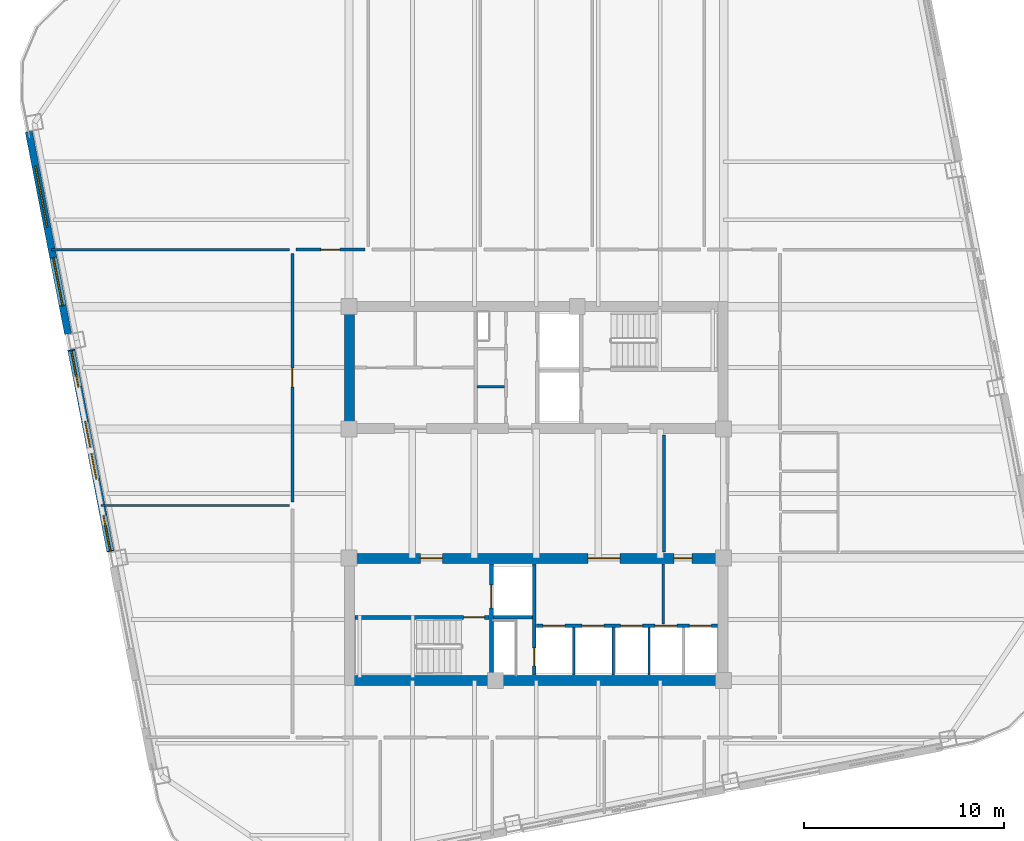
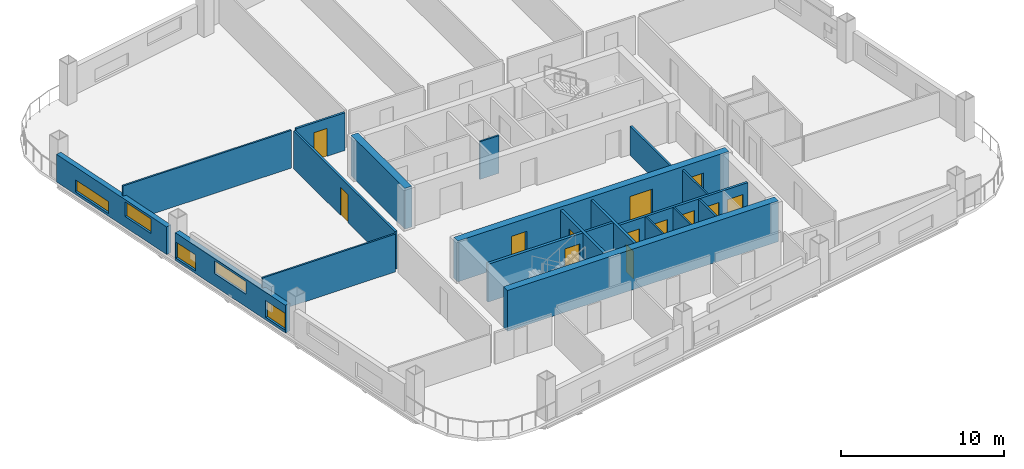
# One storey, part 3 of 9: 20 walls, 13 doors, 5 windows, 18 openings.
"""IFC4 building model written with IfcOpenShell, lengths in metres."""

from ifc_helpers import new_model, si_unit, direction, frame, frame_2d, origin, place, context, subcontext, project, spatial, rectangle, extrude, material, layer, layer_set, type_object, element, fill, save


model = new_model("IFC4")

# Units and contexts
model_context = context("Model", 3, precision=1e-05, world=origin(), true_north=direction((0.0, 1.0)))
body_context = subcontext(model_context, "Body", "Model", "MODEL_VIEW")
ifc_project = project(units=[si_unit("LENGTHUNIT", "METRE"), si_unit("AREAUNIT", "SQUARE_METRE"), si_unit("VOLUMEUNIT", "CUBIC_METRE"), si_unit("PLANEANGLEUNIT", "RADIAN"), si_unit("MASSUNIT", "GRAM", prefix="KILO")], contexts=[model_context])

# Site, building, storey
site_placement = place(None, origin())
site = spatial("IfcSite", under=ifc_project, at=site_placement, CompositionType="ELEMENT")
building_placement = place(site_placement, origin())
building = spatial("IfcBuilding", under=site, at=building_placement, Name="Qhalaya Broadcast Tower", CompositionType="ELEMENT")
storey_placement = place(building_placement, frame((0.0, 0.0, 121.949951171875)))
storey = spatial("IfcBuildingStorey", under=building, at=storey_placement, Name="L35", CompositionType="ELEMENT", Elevation=121.949951171875)

# Wall
ifc_material_1 = material(Name="Gypsum Acoustic Partition")
ifc_layer_1 = layer(ifc_material_1, 0.14990234375, Name="Gypsum Acoustic Partition")
ifc_layer_set_1 = layer_set([ifc_layer_1], Name="Gypsum Acoustic Partition")
wall_type_1 = type_object("IfcWallType", Name="Corridor & Tenancy Acoustic Partition 150", PredefinedType="PARTITIONING", material=ifc_layer_set_1)
wall_1_placement = place(storey_placement, frame((6.3798828125, -2.320068359375, 0.0), z_axis=(0.0, 0.0, 1.0), x_axis=(0.0, 1.0, 0.0)))
element("IfcWall", 1, at=wall_1_placement, inside=storey, type_object=wall_type_1, Name="L35 Partition Wall W-ICHW", PredefinedType="PARTITIONING", context=body_context, shape_type="SweptSolid", body=[
    extrude(rectangle(XDim=5.840087890625, YDim=0.14990234375, at=frame_2d((2.919921875, 0.0))), origin(), (0.0, 0.0, 1.0), 2.197998046875),
])

# Wall, opening, door
wall_2_placement = place(storey_placement, frame((-12.02001953125, 12.800048828125, 0.0), z_axis=(0.0, 0.0, 1.0), x_axis=(1.0, 0.0, 0.0)))
wall_2 = element("IfcWall", 2, at=wall_2_placement, inside=storey, type_object=wall_type_1, Name="L35 Partition Wall W-COR-01", PredefinedType="PARTITIONING", context=body_context, shape_type="SweptSolid", body=[
    extrude(rectangle(XDim=3.43994140625, YDim=0.14990234375, at=frame_2d((1.719970703125, 0.0))), origin(), (0.0, 0.0, 1.0), 2.830078125),
])
opening_1_placement = place(wall_2_placement, frame((1.2451171875, 0.0, 0.0)))
opening_1 = element("IfcOpeningElement", 3, at=opening_1_placement, cuts=wall_2, Name="Opening D10", PredefinedType="OPENING", context=body_context, shape_type="SweptSolid", body=[
    extrude(rectangle(XDim=0.949951171875, YDim=2.10009765625, at=frame_2d((0.47509765625, 1.050048828125))), frame((0.0, 0.0869140625, 0.0), z_axis=(0.0, -1.0, 0.0), x_axis=(1.0, 0.0, 0.0)), (0.0, 0.0, 1.0), 0.173828125),
])
ifc_material_2 = material(Name="Timber Veneer Acoustic Door", Category="wood")
door_type_1 = type_object("IfcDoorType", Name="Cellular Office & Edit Booth Door D10", OperationType="NOTDEFINED", PredefinedType="DOOR", material=ifc_material_2)
door_1_placement = place(opening_1_placement, origin())
door_1 = element("IfcDoor", 4, at=door_1_placement, inside=storey, type_object=door_type_1, Name="L35 Door D-RM01", OperationType="SINGLE_SWING_LEFT", OverallHeight=2.10009765625, OverallWidth=0.949951171875, PredefinedType="DOOR", context=body_context, shape_type="SweptSolid", body=[
    extrude(rectangle(XDim=0.949951171875, YDim=2.10009765625, at=frame_2d((0.47509765625, 1.050048828125))), frame((0.0, 0.02490234375, 0.0), z_axis=(0.0, -1.0, 0.0), x_axis=(1.0, 0.0, 0.0)), (0.0, 0.0, 1.0), 0.050048828125),
])
fill(opening_1, door_1)

wall_3_placement = place(storey_placement, frame((-12.199951171875, 0.179931640625, 0.0), z_axis=(0.0, 0.0, 1.0), x_axis=(0.0, 1.0, 0.0)))
wall_3 = element("IfcWall", 5, at=wall_3_placement, inside=storey, type_object=wall_type_1, Name="L35 Partition Wall W-COR-12", PredefinedType="PARTITIONING", context=body_context, shape_type="SweptSolid", body=[
    extrude(rectangle(XDim=12.440185546875, YDim=0.14990234375, at=frame_2d((6.22021484375, 0.0))), origin(), (0.0, 0.0, 1.0), 2.830078125),
])
opening_2_placement = place(wall_3_placement, frame((5.7451171875, 0.0, 0.0)))
opening_2 = element("IfcOpeningElement", 6, at=opening_2_placement, cuts=wall_3, Name="Opening D10", PredefinedType="OPENING", context=body_context, shape_type="SweptSolid", body=[
    extrude(rectangle(XDim=0.949951171875, YDim=2.10009765625, at=frame_2d((0.47509765625, 1.050048828125))), frame((0.0, 0.0869140625, 0.0), z_axis=(0.0, -1.0, 0.0), x_axis=(1.0, 0.0, 0.0)), (0.0, 0.0, 1.0), 0.173828125),
])
door_2_placement = place(opening_2_placement, origin())
door_2 = element("IfcDoor", 7, at=door_2_placement, inside=storey, type_object=door_type_1, Name="L35 Door D-RM12", OperationType="SINGLE_SWING_RIGHT", OverallHeight=2.10009765625, OverallWidth=0.949951171875, PredefinedType="DOOR", context=body_context, shape_type="SweptSolid", body=[
    extrude(rectangle(XDim=0.949951171875, YDim=2.10009765625, at=frame_2d((0.47509765625, 1.050048828125))), frame((0.0, 0.02490234375, 0.0), z_axis=(0.0, -1.0, 0.0), x_axis=(1.0, 0.0, 0.0)), (0.0, 0.0, 1.0), 0.050048828125),
])
fill(opening_2, door_2)

# Wall, openings, windows
ifc_material_3 = material(Name="Precast Concrete C40/50", Category="concrete")
ifc_layer_2 = layer(ifc_material_3, 0.360107421875, Name="Precast Concrete C40/50")
ifc_layer_set_2 = layer_set([ifc_layer_2], Name="Precast Concrete C40/50")
wall_type_2 = type_object("IfcWallType", Name="Insulated Precast Terracotta Exterior Wall 360", PredefinedType="SOLIDWALL", material=ifc_layer_set_2)
wall_4_placement = place(storey_placement, frame((-21.31005859375, -2.30859375, 0.0), z_axis=(0.0, 0.0, 1.0), x_axis=(-0.190811924826, 0.981626614016, 0.0)))
wall_4 = element("IfcWall", 8, at=wall_4_placement, inside=storey, type_object=wall_type_2, Name="L35 Exoskeleton Diagrid Infill Wall W2", PredefinedType="SOLIDWALL", context=body_context, shape_type="SweptSolid", body=[
    extrude(rectangle(XDim=10.2998046875, YDim=0.360107421875, at=frame_2d((5.14990234375, 0.0))), origin(), (0.0, 0.0, 1.0), 2.067138671875),
])
opening_3_placement = place(wall_4_placement, frame((0.0380859375, 0.0, 0.199951171875)))
opening_3 = element("IfcOpeningElement", 9, at=opening_3_placement, cuts=wall_4, Name="Opening W11", PredefinedType="OPENING", context=body_context, shape_type="SweptSolid", body=[
    extrude(rectangle(XDim=1.800048828125, YDim=1.25, at=frame_2d((0.89990234375, 0.625))), frame((0.0, 0.192138671875, 0.0), z_axis=(0.0, -1.0, 0.0), x_axis=(1.0, 0.0, 0.0)), (0.0, 0.0, 1.0), 0.384033203125),
])
opening_4_placement = place(wall_4_placement, frame((3.68798828125, 0.0, 0.949951171875)))
opening_4 = element("IfcOpeningElement", 10, at=opening_4_placement, cuts=wall_4, Name="Opening W11", PredefinedType="OPENING", context=body_context, shape_type="SweptSolid", body=[
    extrude(rectangle(XDim=2.949951171875, YDim=0.949951171875, at=frame_2d((1.47509765625, 0.47509765625))), frame((0.0, 0.192138671875, 0.0), z_axis=(0.0, -1.0, 0.0), x_axis=(1.0, 0.0, 0.0)), (0.0, 0.0, 1.0), 0.384033203125),
])
opening_5_placement = place(wall_4_placement, frame((8.387939453125, 0.0, 0.199951171875)))
opening_5 = element("IfcOpeningElement", 11, at=opening_5_placement, cuts=wall_4, Name="Opening W11", PredefinedType="OPENING", context=body_context, shape_type="SweptSolid", body=[
    extrude(rectangle(XDim=1.85009765625, YDim=1.199951171875, at=frame_2d((0.925048828125, 0.60009765625))), frame((0.0, 0.192138671875, 0.0), z_axis=(0.0, -1.0, 0.0), x_axis=(1.0, 0.0, 0.0)), (0.0, 0.0, 1.0), 0.384033203125),
])
ifc_material_4 = material(Name="Solar-Control Low-E Triple Glazing", Category="glass")
window_type = type_object("IfcWindowType", Name="Odd-Block Diagrid Infill Window W11", PartitioningType="SINGLE_PANEL", PredefinedType="WINDOW", material=ifc_material_4)
window_1_placement = place(opening_3_placement, origin())
window_1 = element("IfcWindow", 12, at=window_1_placement, inside=storey, type_object=window_type, Name="L35 Diagrid Infill Window W11-W3", OverallHeight=1.25, OverallWidth=1.800048828125, PartitioningType="SINGLE_PANEL", PredefinedType="WINDOW", context=body_context, shape_type="SweptSolid", body=[
    extrude(rectangle(XDim=1.800048828125, YDim=1.25, at=frame_2d((0.89990234375, 0.625))), frame((0.0, 0.030029296875, 0.0), z_axis=(0.0, -1.0, 0.0), x_axis=(1.0, 0.0, 0.0)), (0.0, 0.0, 1.0), 0.06005859375),
])
fill(opening_3, window_1)
window_2_placement = place(opening_4_placement, origin())
window_2 = element("IfcWindow", 13, at=window_2_placement, inside=storey, type_object=window_type, Name="L35 Diagrid Infill Window W11-W4", OverallHeight=0.949951171875, OverallWidth=2.949951171875, PartitioningType="SINGLE_PANEL", PredefinedType="WINDOW", context=body_context, shape_type="SweptSolid", body=[
    extrude(rectangle(XDim=2.949951171875, YDim=0.949951171875, at=frame_2d((1.47509765625, 0.47509765625))), frame((0.0, 0.030029296875, 0.0), z_axis=(0.0, -1.0, 0.0), x_axis=(1.0, 0.0, 0.0)), (0.0, 0.0, 1.0), 0.06005859375),
])
fill(opening_4, window_2)
window_3_placement = place(opening_5_placement, origin())
window_3 = element("IfcWindow", 14, at=window_3_placement, inside=storey, type_object=window_type, Name="L35 Diagrid Infill Window W11-W5", OverallHeight=1.199951171875, OverallWidth=1.85009765625, PartitioningType="SINGLE_PANEL", PredefinedType="WINDOW", context=body_context, shape_type="SweptSolid", body=[
    extrude(rectangle(XDim=1.85009765625, YDim=1.199951171875, at=frame_2d((0.925048828125, 0.60009765625))), frame((0.0, 0.030029296875, 0.0), z_axis=(0.0, -1.0, 0.0), x_axis=(1.0, 0.0, 0.0)), (0.0, 0.0, 1.0), 0.06005859375),
])
fill(opening_5, window_3)

wall_5_placement = place(storey_placement, frame((-23.427978515625, 8.58740234375, 0.0), z_axis=(0.0, 0.0, 1.0), x_axis=(-0.190822765986, 0.981624506612, 0.0)))
wall_5 = element("IfcWall", 15, at=wall_5_placement, inside=storey, type_object=wall_type_2, Name="L35 Exoskeleton Diagrid Infill Wall W3", PredefinedType="SOLIDWALL", context=body_context, shape_type="SweptSolid", body=[
    extrude(rectangle(XDim=10.31201171875, YDim=0.360107421875, at=frame_2d((5.156005859375, 0.0))), origin(), (0.0, 0.0, 1.0), 2.067138671875),
])
opening_6_placement = place(wall_5_placement, frame((1.43798828125, 0.0, 0.800048828125)))
opening_6 = element("IfcOpeningElement", 16, at=opening_6_placement, cuts=wall_5, Name="Opening W11", PredefinedType="OPENING", context=body_context, shape_type="SweptSolid", body=[
    extrude(rectangle(XDim=2.449951171875, YDim=1.10009765625, at=frame_2d((1.22509765625, 0.550048828125))), frame((0.0, 0.192138671875, 0.0), z_axis=(0.0, -1.0, 0.0), x_axis=(1.0, 0.0, 0.0)), (0.0, 0.0, 1.0), 0.384033203125),
])
opening_7_placement = place(wall_5_placement, frame((5.43798828125, 0.0, 0.199951171875)))
opening_7 = element("IfcOpeningElement", 17, at=opening_7_placement, cuts=wall_5, Name="Opening W11", PredefinedType="OPENING", context=body_context, shape_type="SweptSolid", body=[
    extrude(rectangle(XDim=3.10009765625, YDim=0.89990234375, at=frame_2d((1.550048828125, 0.449951171875))), frame((0.0, 0.192138671875, 0.0), z_axis=(0.0, -1.0, 0.0), x_axis=(1.0, 0.0, 0.0)), (0.0, 0.0, 1.0), 0.384033203125),
])
window_4_placement = place(opening_6_placement, origin())
window_4 = element("IfcWindow", 18, at=window_4_placement, inside=storey, type_object=window_type, Name="L35 Diagrid Infill Window W11-W6", OverallHeight=1.10009765625, OverallWidth=2.449951171875, PartitioningType="SINGLE_PANEL", PredefinedType="WINDOW", context=body_context, shape_type="SweptSolid", body=[
    extrude(rectangle(XDim=2.449951171875, YDim=1.10009765625, at=frame_2d((1.22509765625, 0.550048828125))), frame((0.0, 0.030029296875, 0.0), z_axis=(0.0, -1.0, 0.0), x_axis=(1.0, 0.0, 0.0)), (0.0, 0.0, 1.0), 0.06005859375),
])
fill(opening_6, window_4)
window_5_placement = place(opening_7_placement, origin())
window_5 = element("IfcWindow", 19, at=window_5_placement, inside=storey, type_object=window_type, Name="L35 Diagrid Infill Window W11-W7", OverallHeight=0.89990234375, OverallWidth=3.10009765625, PartitioningType="SINGLE_PANEL", PredefinedType="WINDOW", context=body_context, shape_type="SweptSolid", body=[
    extrude(rectangle(XDim=3.10009765625, YDim=0.89990234375, at=frame_2d((1.550048828125, 0.449951171875))), frame((0.0, 0.030029296875, 0.0), z_axis=(0.0, -1.0, 0.0), x_axis=(1.0, 0.0, 0.0)), (0.0, 0.0, 1.0), 0.06005859375),
])
fill(opening_7, window_5)

# Wall, opening, door
ifc_material_5 = material(Name="Concrete C50/60", Category="concrete")
ifc_layer_3 = layer(ifc_material_5, 0.199951171875, Name="Concrete C50/60")
ifc_layer_set_3 = layer_set([ifc_layer_3], Name="Concrete C50/60")
wall_type_3 = type_object("IfcWallType", Name="Load-Bearing Stair Shaft Wall 200", PredefinedType="SHEAR", material=ifc_layer_set_3)
wall_6_placement = place(storey_placement, frame((-9.080078125, -5.60498046875, 0.0), z_axis=(0.0, 0.0, 1.0), x_axis=(1.0, 0.0, 0.0)))
wall_6 = element("IfcWall", 20, at=wall_6_placement, inside=storey, type_object=wall_type_3, Name="L35 Stair Core Shear Wall SCW-ST2", PredefinedType="SHEAR", context=body_context, shape_type="SweptSolid", body=[
    extrude(rectangle(XDim=6.719970703125, YDim=0.199951171875, at=frame_2d((3.35986328125, 0.0))), origin(), (0.0, 0.0, 1.0), 2.830078125),
])
opening_8_placement = place(wall_6_placement, frame((5.449951171875, 0.0, 0.0)))
opening_8 = element("IfcOpeningElement", 21, at=opening_8_placement, cuts=wall_6, Name="Opening D03", PredefinedType="OPENING", context=body_context, shape_type="SweptSolid", body=[
    extrude(rectangle(XDim=1.050048828125, YDim=2.080078125, at=frame_2d((0.52490234375, 1.0400390625))), frame((0.0, 0.112060546875, 0.0), z_axis=(0.0, -1.0, 0.0), x_axis=(1.0, 0.0, 0.0)), (0.0, 0.0, 1.0), 0.223876953125),
])
ifc_material_6 = material(Name="Fire-Rated Steel Door", Category="steel")
door_type_2 = type_object("IfcDoorType", Name="Core Stair Protected Fire Door D03", OperationType="NOTDEFINED", PredefinedType="DOOR", material=ifc_material_6)
door_3_placement = place(opening_8_placement, origin())
door_3 = element("IfcDoor", 22, at=door_3_placement, inside=storey, type_object=door_type_2, Name="L35 Door D-SST2", OperationType="SINGLE_SWING_RIGHT", OverallHeight=2.080078125, OverallWidth=1.050048828125, PredefinedType="DOOR", context=body_context, shape_type="SweptSolid", body=[
    extrude(rectangle(XDim=1.050048828125, YDim=2.080078125, at=frame_2d((0.52490234375, 1.0400390625))), frame((0.0, 0.02490234375, 0.0), z_axis=(0.0, -1.0, 0.0), x_axis=(1.0, 0.0, 0.0)), (0.0, 0.0, 1.0), 0.050048828125),
])
fill(opening_8, door_3)

wall_7_placement = place(storey_placement, frame((-2.25, -8.47998046875, 0.0), z_axis=(0.0, 0.0, 1.0), x_axis=(0.0, 1.0, 0.0)))
wall_7 = element("IfcWall", 23, at=wall_7_placement, inside=storey, type_object=wall_type_3, Name="L35 Stair Core Shear Wall SCW-FF", PredefinedType="SHEAR", context=body_context, shape_type="SweptSolid", body=[
    extrude(rectangle(XDim=5.56005859375, YDim=0.199951171875, at=frame_2d((2.780029296875, 0.0))), origin(), (0.0, 0.0, 1.0), 2.830078125),
])
opening_9_placement = place(wall_7_placement, frame((3.35009765625, 0.0, 0.0)))
opening_9 = element("IfcOpeningElement", 24, at=opening_9_placement, cuts=wall_7, Name="Opening LD2", PredefinedType="OPENING", context=body_context, shape_type="SweptSolid", body=[
    extrude(rectangle(XDim=1.14990234375, YDim=2.080078125, at=frame_2d((0.574951171875, 1.0400390625))), frame((0.0, 0.112060546875, 0.0), z_axis=(0.0, -1.0, 0.0), x_axis=(1.0, 0.0, 0.0)), (0.0, 0.0, 1.0), 0.223876953125),
])
ifc_material_7 = material(Name="Brushed Stainless Steel Lift Door", Category="steel")
door_type_3 = type_object("IfcDoorType", Name="Firefighting Lift Sliding Landing Door LD2", OperationType="DOUBLE_DOOR_SLIDING", PredefinedType="DOOR", material=ifc_material_7)
door_4_placement = place(opening_9_placement, origin())
door_4 = element("IfcDoor", 25, at=door_4_placement, inside=storey, type_object=door_type_3, Name="L35 Door LD-FF2", OperationType="DOUBLE_DOOR_SLIDING", OverallHeight=2.080078125, OverallWidth=1.14990234375, PredefinedType="DOOR", context=body_context, shape_type="SweptSolid", body=[
    extrude(rectangle(XDim=1.14990234375, YDim=2.080078125, at=frame_2d((0.574951171875, 1.0400390625))), frame((0.0, 0.02490234375, 0.0), z_axis=(0.0, -1.0, 0.0), x_axis=(1.0, 0.0, 0.0)), (0.0, 0.0, 1.0), 0.050048828125),
])
fill(opening_9, door_4)

# Walls
ifc_layer_4 = layer(ifc_material_5, 0.5, Name="Concrete C50/60")
ifc_layer_set_4 = layer_set([ifc_layer_4], Name="Concrete C50/60")
wall_type_4 = type_object("IfcWallType", Name="Mid Split-Core Shear Wall 500", PredefinedType="SHEAR", material=ifc_layer_set_4)
wall_8_placement = place(storey_placement, frame((-9.35009765625, 3.60009765625, 0.0), z_axis=(0.0, 0.0, 1.0), x_axis=(0.0, 1.0, 0.0)))
element("IfcWall", 26, at=wall_8_placement, inside=storey, type_object=wall_type_4, Name="L35 Split-Core Shear Wall CW-NW", PredefinedType="SHEAR", context=body_context, shape_type="SweptSolid", body=[
    extrude(rectangle(XDim=6.599853515625, YDim=0.5, at=frame_2d((3.2998046875, 0.0))), origin(), (0.0, 0.0, 1.0), 3.050048828125),
])
wall_9_placement = place(storey_placement, frame((-9.60009765625, -8.75, 0.0), z_axis=(0.0, 0.0, 1.0), x_axis=(1.0, 0.0, 0.0)))
element("IfcWall", 27, at=wall_9_placement, inside=storey, type_object=wall_type_4, Name="L35 Split-Core Shear Wall CW-SS", PredefinedType="SHEAR", context=body_context, shape_type="SweptSolid", body=[
    extrude(rectangle(XDim=19.2001953125, YDim=0.5, at=frame_2d((9.60009765625, 0.0))), origin(), (0.0, 0.0, 1.0), 3.050048828125),
])

# Wall, openings, doors
wall_10_placement = place(storey_placement, frame((-9.60009765625, -2.64990234375, 0.0), z_axis=(0.0, 0.0, 1.0), x_axis=(1.0, 0.0, 0.0)))
wall_10 = element("IfcWall", 28, at=wall_10_placement, inside=storey, type_object=wall_type_4, Name="L35 Split-Core Shear Wall CW-SN", PredefinedType="SHEAR", context=body_context, shape_type="SweptSolid", body=[
    extrude(rectangle(XDim=19.2001953125, YDim=0.5, at=frame_2d((9.60009765625, 0.0))), origin(), (0.0, 0.0, 1.0), 3.050048828125),
])
opening_10_placement = place(wall_10_placement, frame((3.800048828125, 0.0, 0.0)))
opening_10 = element("IfcOpeningElement", 29, at=opening_10_placement, cuts=wall_10, Name="Opening D04", PredefinedType="OPENING", context=body_context, shape_type="SweptSolid", body=[
    extrude(rectangle(XDim=1.10009765625, YDim=2.080078125, at=frame_2d((0.550048828125, 1.0400390625))), frame((0.0, 0.261962890625, 0.0), z_axis=(0.0, -1.0, 0.0), x_axis=(1.0, 0.0, 0.0)), (0.0, 0.0, 1.0), 0.52392578125),
])
opening_11_placement = place(wall_10_placement, frame((12.199951171875, 0.0, 0.0)))
opening_11 = element("IfcOpeningElement", 30, at=opening_11_placement, cuts=wall_10, Name="Opening D07", PredefinedType="OPENING", context=body_context, shape_type="SweptSolid", body=[
    extrude(rectangle(XDim=1.60009765625, YDim=2.1201171875, at=frame_2d((0.800048828125, 1.06005859375))), frame((0.0, 0.261962890625, 0.0), z_axis=(0.0, -1.0, 0.0), x_axis=(1.0, 0.0, 0.0)), (0.0, 0.0, 1.0), 0.52392578125),
])
opening_12_placement = place(wall_10_placement, frame((16.5, 0.0, 0.0)))
opening_12 = element("IfcOpeningElement", 31, at=opening_12_placement, cuts=wall_10, Name="Opening D06", PredefinedType="OPENING", context=body_context, shape_type="SweptSolid", body=[
    extrude(rectangle(XDim=0.89990234375, YDim=2.050048828125, at=frame_2d((0.449951171875, 1.02490234375))), frame((0.0, 0.261962890625, 0.0), z_axis=(0.0, -1.0, 0.0), x_axis=(1.0, 0.0, 0.0)), (0.0, 0.0, 1.0), 0.52392578125),
])
door_type_4 = type_object("IfcDoorType", Name="Firefighting Lobby Rated Door D04", OperationType="NOTDEFINED", PredefinedType="DOOR", material=ifc_material_6)
door_5_placement = place(opening_10_placement, origin())
door_5 = element("IfcDoor", 32, at=door_5_placement, inside=storey, type_object=door_type_4, Name="L35 Door D-SFF", OperationType="SINGLE_SWING_LEFT", OverallHeight=2.080078125, OverallWidth=1.10009765625, PredefinedType="DOOR", context=body_context, shape_type="SweptSolid", body=[
    extrude(rectangle(XDim=1.10009765625, YDim=2.080078125, at=frame_2d((0.550048828125, 1.0400390625))), frame((0.0, 0.02490234375, 0.0), z_axis=(0.0, -1.0, 0.0), x_axis=(1.0, 0.0, 0.0)), (0.0, 0.0, 1.0), 0.050048828125),
])
fill(opening_10, door_5)
ifc_material_8 = material(Name="Anodised Aluminium Glazed Door", Category="aluminium")
door_type_5 = type_object("IfcDoorType", Name="Passenger Lift Lobby Double Glazed Door D07", OperationType="DOUBLE_DOOR_SINGLE_SWING", PredefinedType="DOOR", material=ifc_material_8)
door_6_placement = place(opening_11_placement, origin())
door_6 = element("IfcDoor", 33, at=door_6_placement, inside=storey, type_object=door_type_5, Name="L35 Door D-SPLL", OperationType="DOUBLE_DOOR_SINGLE_SWING", OverallHeight=2.1201171875, OverallWidth=1.60009765625, PredefinedType="DOOR", context=body_context, shape_type="SweptSolid", body=[
    extrude(rectangle(XDim=1.60009765625, YDim=2.1201171875, at=frame_2d((0.800048828125, 1.06005859375))), frame((0.0, 0.02490234375, 0.0), z_axis=(0.0, -1.0, 0.0), x_axis=(1.0, 0.0, 0.0)), (0.0, 0.0, 1.0), 0.050048828125),
])
fill(opening_11, door_6)
door_type_6 = type_object("IfcDoorType", Name="Riser & Electrical Shaft Access Door D06", OperationType="NOTDEFINED", PredefinedType="DOOR", material=ifc_material_6)
door_7_placement = place(opening_12_placement, origin())
door_7 = element("IfcDoor", 34, at=door_7_placement, inside=storey, type_object=door_type_6, Name="L35 Door D-SSCST", OperationType="SINGLE_SWING_LEFT", OverallHeight=2.050048828125, OverallWidth=0.89990234375, PredefinedType="DOOR", context=body_context, shape_type="SweptSolid", body=[
    extrude(rectangle(XDim=0.89990234375, YDim=2.050048828125, at=frame_2d((0.449951171875, 1.02490234375))), frame((0.0, 0.02490234375, 0.0), z_axis=(0.0, -1.0, 0.0), x_axis=(1.0, 0.0, 0.0)), (0.0, 0.0, 1.0), 0.050048828125),
])
fill(opening_12, door_7)

# Walls
ifc_layer_5 = layer(ifc_material_1, 0.1201171875, Name="Gypsum Acoustic Partition")
ifc_layer_set_5 = layer_set([ifc_layer_5], Name="Gypsum Acoustic Partition")
wall_type_5 = type_object("IfcWallType", Name="Office, Booth & Sanitary Partition 120", PredefinedType="PARTITIONING", material=ifc_layer_set_5)
wall_11_placement = place(storey_placement, frame((-2.9599609375, 5.949951171875, 0.0), z_axis=(0.0, 0.0, 1.0), x_axis=(1.0, 0.0, 0.0)))
element("IfcWall", 35, at=wall_11_placement, inside=storey, type_object=wall_type_5, Name="L35 Partition Wall NCW-VB1", PredefinedType="PARTITIONING", context=body_context, shape_type="SweptSolid", body=[
    extrude(rectangle(XDim=1.35986328125, YDim=0.1201171875, at=frame_2d((0.679931640625, 0.0))), origin(), (0.0, 0.0, 1.0), 2.830078125),
])
for number, where, z_axis, x_axis, name in (
    (36, (1.8798828125, -8.47998046875, 0.0), (0.0, 0.0, 1.0), (0.0, 1.0, 0.0), "L35 Partition Wall SCW-MD4"),
    (37, (3.85009765625, -8.47998046875, 0.0), (0.0, 0.0, 1.0), (0.0, 1.0, 0.0), "L35 Partition Wall SCW-MD5"),
    (38, (5.639892578125, -8.47998046875, 0.0), (0.0, 0.0, 1.0), (0.0, 1.0, 0.0), "L35 Partition Wall SCW-HD6"),
):
    element("IfcWall", number, at=place(storey_placement, frame(where, z_axis=z_axis, x_axis=x_axis)), inside=storey, type_object=wall_type_5, Name=name, PredefinedType="PARTITIONING", context=body_context, shape_type="SweptSolid", body=[
        extrude(rectangle(XDim=2.3798828125, YDim=0.1201171875, at=frame_2d((1.18994140625, 0.0))), origin(), (0.0, 0.0, 1.0), 2.830078125),
    ])
wall_12_placement = place(storey_placement, frame((6.35009765625, -5.93994140625, 0.0), z_axis=(0.0, 0.0, 1.0), x_axis=(0.0, 1.0, 0.0)))
element("IfcWall", 39, at=wall_12_placement, inside=storey, type_object=wall_type_5, Name="L35 Partition Wall SCW-LKB", PredefinedType="PARTITIONING", context=body_context, shape_type="SweptSolid", body=[
    extrude(rectangle(XDim=3.02001953125, YDim=0.1201171875, at=frame_2d((1.510009765625, 0.0))), origin(), (0.0, 0.0, 1.0), 2.830078125),
])
wall_13_placement = place(storey_placement, frame((-24.267333984375, 12.800048828125, 0.0), z_axis=(0.0, 0.0, 1.0), x_axis=(1.0, 0.0, 0.0)))
element("IfcWall", 40, at=wall_13_placement, inside=storey, type_object=wall_type_5, Name="L35 Partition Wall W-BNDW1", PredefinedType="PARTITIONING", context=body_context, shape_type="SweptSolid", body=[
    extrude(rectangle(XDim=11.92724609375, YDim=0.1201171875, at=frame_2d((5.963623046875, 0.0))), origin(), (0.0, 0.0, 1.0), 2.830078125),
])
wall_14_placement = place(storey_placement, frame((-21.779296875, 0.0, 0.0), z_axis=(0.0, 0.0, 1.0), x_axis=(1.0, 0.0, 0.0)))
element("IfcWall", 41, at=wall_14_placement, inside=storey, type_object=wall_type_5, Name="L35 Partition Wall W-DIVW1", PredefinedType="PARTITIONING", context=body_context, shape_type="SweptSolid", body=[
    extrude(rectangle(XDim=9.419189453125, YDim=0.1201171875, at=frame_2d((4.70947265625, 0.0))), origin(), (0.0, 0.0, 1.0), 2.830078125),
])

# Wall, opening, door
ifc_layer_6 = layer(ifc_material_1, 0.175048828125, Name="Gypsum Acoustic Partition")
ifc_layer_set_6 = layer_set([ifc_layer_6], Name="Gypsum Acoustic Partition")
wall_type_6 = type_object("IfcWallType", Name="Shaft & Riser Fire Partition 175", PredefinedType="PARTITIONING", material=ifc_layer_set_6)
wall_15_placement = place(storey_placement, frame((-0.10009765625, -8.47998046875, 0.0), z_axis=(0.0, 0.0, 1.0), x_axis=(0.0, 1.0, 0.0)))
wall_15 = element("IfcWall", 42, at=wall_15_placement, inside=storey, type_object=wall_type_6, Name="L35 Partition Wall SCW-FFE", PredefinedType="PARTITIONING", context=body_context, shape_type="SweptSolid", body=[
    extrude(rectangle(XDim=5.56005859375, YDim=0.175048828125, at=frame_2d((2.780029296875, 0.0))), origin(), (0.0, 0.0, 1.0), 2.830078125),
])
opening_13_placement = place(wall_15_placement, frame((0.449951171875, 0.0, 0.0)))
opening_13 = element("IfcOpeningElement", 43, at=opening_13_placement, cuts=wall_15, Name="Opening D06", PredefinedType="OPENING", context=body_context, shape_type="SweptSolid", body=[
    extrude(rectangle(XDim=0.89990234375, YDim=2.050048828125, at=frame_2d((0.449951171875, 1.02490234375))), frame((0.0, 0.099609375, 0.0), z_axis=(0.0, -1.0, 0.0), x_axis=(1.0, 0.0, 0.0)), (0.0, 0.0, 1.0), 0.198974609375),
])
door_8_placement = place(opening_13_placement, origin())
door_8 = element("IfcDoor", 44, at=door_8_placement, inside=storey, type_object=door_type_6, Name="L35 Riser Shaft Access Door D-SRSR", OperationType="SINGLE_SWING_LEFT", OverallHeight=2.050048828125, OverallWidth=0.89990234375, PredefinedType="DOOR", context=body_context, shape_type="SweptSolid", body=[
    extrude(rectangle(XDim=0.89990234375, YDim=2.050048828125, at=frame_2d((0.449951171875, 1.02490234375))), frame((0.0, 0.02490234375, 0.0), z_axis=(0.0, -1.0, 0.0), x_axis=(1.0, 0.0, 0.0)), (0.0, 0.0, 1.0), 0.050048828125),
])
fill(opening_13, door_8)

# Wall
wall_16_placement = place(storey_placement, frame((-2.14990234375, -5.60009765625, 0.0), z_axis=(0.0, 0.0, 1.0), x_axis=(1.0, 0.0, 0.0)))
element("IfcWall", 45, at=wall_16_placement, inside=storey, type_object=wall_type_6, Name="L35 Partition Wall SCW-FFM", PredefinedType="PARTITIONING", context=body_context, shape_type="SweptSolid", body=[
    extrude(rectangle(XDim=1.969970703125, YDim=0.175048828125, at=frame_2d((0.98486328125, 0.0))), origin(), (0.0, 0.0, 1.0), 2.830078125),
])

# Wall, openings, doors
wall_17_placement = place(storey_placement, frame((0.0, -6.02001953125, 0.0), z_axis=(0.0, 0.0, 1.0), x_axis=(1.0, 0.0, 0.0)))
wall_17 = element("IfcWall", 46, at=wall_17_placement, inside=storey, type_object=wall_type_6, Name="L35 Partition Wall SCW-SLB", PredefinedType="PARTITIONING", context=body_context, shape_type="SweptSolid", body=[
    extrude(rectangle(XDim=9.080078125, YDim=0.175048828125, at=frame_2d((4.5400390625, 0.0))), origin(), (0.0, 0.0, 1.0), 2.830078125),
])
opening_14_placement = place(wall_17_placement, frame((0.330078125, 0.0, 0.0)))
opening_14 = element("IfcOpeningElement", 47, at=opening_14_placement, cuts=wall_17, Name="Opening LD1", PredefinedType="OPENING", context=body_context, shape_type="SweptSolid", body=[
    extrude(rectangle(XDim=1.10009765625, YDim=2.06005859375, at=frame_2d((0.550048828125, 1.030029296875))), frame((0.0, 0.099609375, 0.0), z_axis=(0.0, -1.0, 0.0), x_axis=(1.0, 0.0, 0.0)), (0.0, 0.0, 1.0), 0.198974609375),
])
opening_15_placement = place(wall_17_placement, frame((2.300048828125, 0.0, 0.0)))
opening_15 = element("IfcOpeningElement", 48, at=opening_15_placement, cuts=wall_17, Name="Opening LD1", PredefinedType="OPENING", context=body_context, shape_type="SweptSolid", body=[
    extrude(rectangle(XDim=1.10009765625, YDim=2.06005859375, at=frame_2d((0.550048828125, 1.030029296875))), frame((0.0, 0.099609375, 0.0), z_axis=(0.0, -1.0, 0.0), x_axis=(1.0, 0.0, 0.0)), (0.0, 0.0, 1.0), 0.198974609375),
])
opening_16_placement = place(wall_17_placement, frame((4.219970703125, 0.0, 0.0)))
opening_16 = element("IfcOpeningElement", 49, at=opening_16_placement, cuts=wall_17, Name="Opening LD1", PredefinedType="OPENING", context=body_context, shape_type="SweptSolid", body=[
    extrude(rectangle(XDim=1.10009765625, YDim=2.06005859375, at=frame_2d((0.550048828125, 1.030029296875))), frame((0.0, 0.099609375, 0.0), z_axis=(0.0, -1.0, 0.0), x_axis=(1.0, 0.0, 0.0)), (0.0, 0.0, 1.0), 0.198974609375),
])
opening_17_placement = place(wall_17_placement, frame((5.93994140625, 0.0, 0.0)))
opening_17 = element("IfcOpeningElement", 50, at=opening_17_placement, cuts=wall_17, Name="Opening LD1", PredefinedType="OPENING", context=body_context, shape_type="SweptSolid", body=[
    extrude(rectangle(XDim=1.10009765625, YDim=2.06005859375, at=frame_2d((0.550048828125, 1.030029296875))), frame((0.0, 0.099609375, 0.0), z_axis=(0.0, -1.0, 0.0), x_axis=(1.0, 0.0, 0.0)), (0.0, 0.0, 1.0), 0.198974609375),
])
opening_18_placement = place(wall_17_placement, frame((7.659912109375, 0.0, 0.0)))
opening_18 = element("IfcOpeningElement", 51, at=opening_18_placement, cuts=wall_17, Name="Opening LD1", PredefinedType="OPENING", context=body_context, shape_type="SweptSolid", body=[
    extrude(rectangle(XDim=1.10009765625, YDim=2.06005859375, at=frame_2d((0.550048828125, 1.030029296875))), frame((0.0, 0.099609375, 0.0), z_axis=(0.0, -1.0, 0.0), x_axis=(1.0, 0.0, 0.0)), (0.0, 0.0, 1.0), 0.198974609375),
])
door_type_7 = type_object("IfcDoorType", Name="Passenger Lift Sliding Landing Door LD1", OperationType="DOUBLE_DOOR_SLIDING", PredefinedType="DOOR", material=ifc_material_7)
door_9_placement = place(opening_14_placement, origin())
door_9 = element("IfcDoor", 52, at=door_9_placement, inside=storey, type_object=door_type_7, Name="L35 Door LD-P4", OperationType="DOUBLE_DOOR_SLIDING", OverallHeight=2.06005859375, OverallWidth=1.10009765625, PredefinedType="DOOR", context=body_context, shape_type="SweptSolid", body=[
    extrude(rectangle(XDim=1.10009765625, YDim=2.06005859375, at=frame_2d((0.550048828125, 1.030029296875))), frame((0.0, 0.02490234375, 0.0), z_axis=(0.0, -1.0, 0.0), x_axis=(1.0, 0.0, 0.0)), (0.0, 0.0, 1.0), 0.050048828125),
])
fill(opening_14, door_9)
door_10_placement = place(opening_15_placement, origin())
door_10 = element("IfcDoor", 53, at=door_10_placement, inside=storey, type_object=door_type_7, Name="L35 Door LD-P5", OperationType="DOUBLE_DOOR_SLIDING", OverallHeight=2.06005859375, OverallWidth=1.10009765625, PredefinedType="DOOR", context=body_context, shape_type="SweptSolid", body=[
    extrude(rectangle(XDim=1.10009765625, YDim=2.06005859375, at=frame_2d((0.550048828125, 1.030029296875))), frame((0.0, 0.02490234375, 0.0), z_axis=(0.0, -1.0, 0.0), x_axis=(1.0, 0.0, 0.0)), (0.0, 0.0, 1.0), 0.050048828125),
])
fill(opening_15, door_10)
door_11_placement = place(opening_16_placement, origin())
door_11 = element("IfcDoor", 54, at=door_11_placement, inside=storey, type_object=door_type_7, Name="L35 Door LD-P6", OperationType="DOUBLE_DOOR_SLIDING", OverallHeight=2.06005859375, OverallWidth=1.10009765625, PredefinedType="DOOR", context=body_context, shape_type="SweptSolid", body=[
    extrude(rectangle(XDim=1.10009765625, YDim=2.06005859375, at=frame_2d((0.550048828125, 1.030029296875))), frame((0.0, 0.02490234375, 0.0), z_axis=(0.0, -1.0, 0.0), x_axis=(1.0, 0.0, 0.0)), (0.0, 0.0, 1.0), 0.050048828125),
])
fill(opening_16, door_11)
door_12_placement = place(opening_17_placement, origin())
door_12 = element("IfcDoor", 55, at=door_12_placement, inside=storey, type_object=door_type_7, Name="L35 Door LD-P7", OperationType="DOUBLE_DOOR_SLIDING", OverallHeight=2.06005859375, OverallWidth=1.10009765625, PredefinedType="DOOR", context=body_context, shape_type="SweptSolid", body=[
    extrude(rectangle(XDim=1.10009765625, YDim=2.06005859375, at=frame_2d((0.550048828125, 1.030029296875))), frame((0.0, 0.02490234375, 0.0), z_axis=(0.0, -1.0, 0.0), x_axis=(1.0, 0.0, 0.0)), (0.0, 0.0, 1.0), 0.050048828125),
])
fill(opening_17, door_12)
door_13_placement = place(opening_18_placement, origin())
door_13 = element("IfcDoor", 56, at=door_13_placement, inside=storey, type_object=door_type_7, Name="L35 Door LD-P8", OperationType="DOUBLE_DOOR_SLIDING", OverallHeight=2.06005859375, OverallWidth=1.10009765625, PredefinedType="DOOR", context=body_context, shape_type="SweptSolid", body=[
    extrude(rectangle(XDim=1.10009765625, YDim=2.06005859375, at=frame_2d((0.550048828125, 1.030029296875))), frame((0.0, 0.02490234375, 0.0), z_axis=(0.0, -1.0, 0.0), x_axis=(1.0, 0.0, 0.0)), (0.0, 0.0, 1.0), 0.050048828125),
])
fill(opening_18, door_13)

save(model, "model.ifc")
